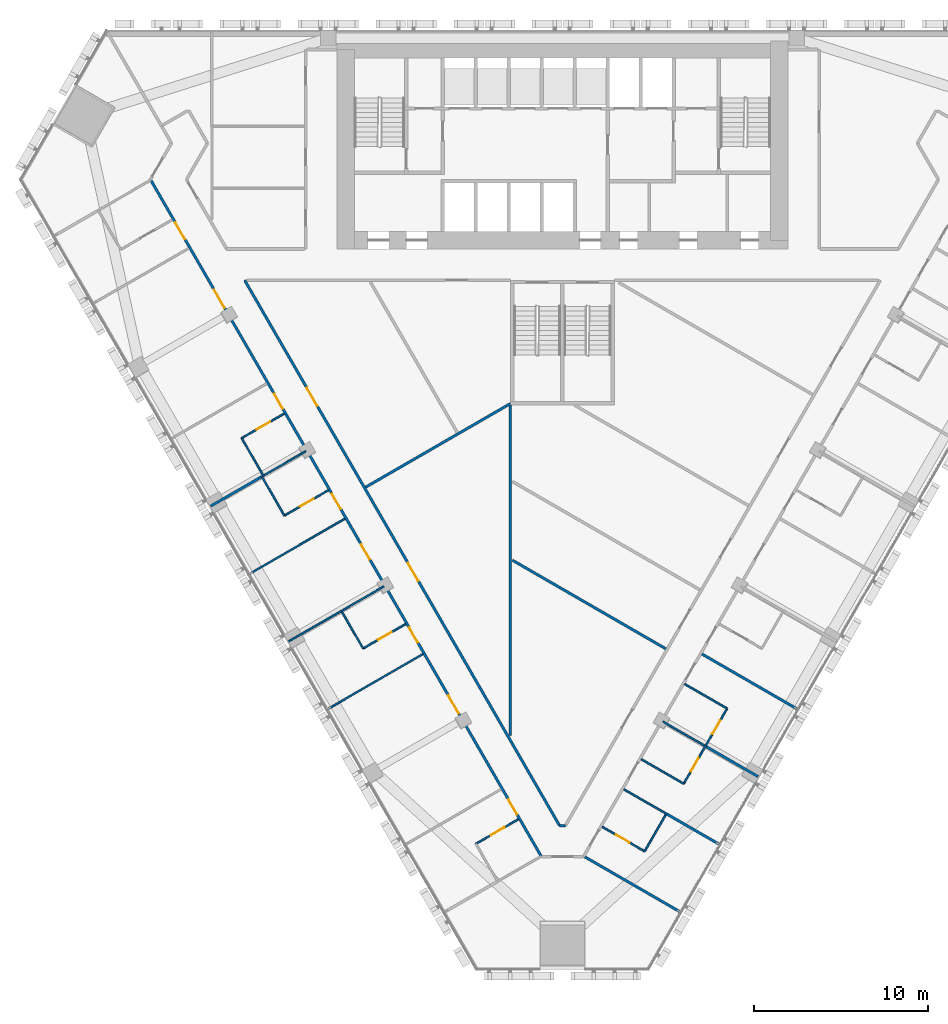
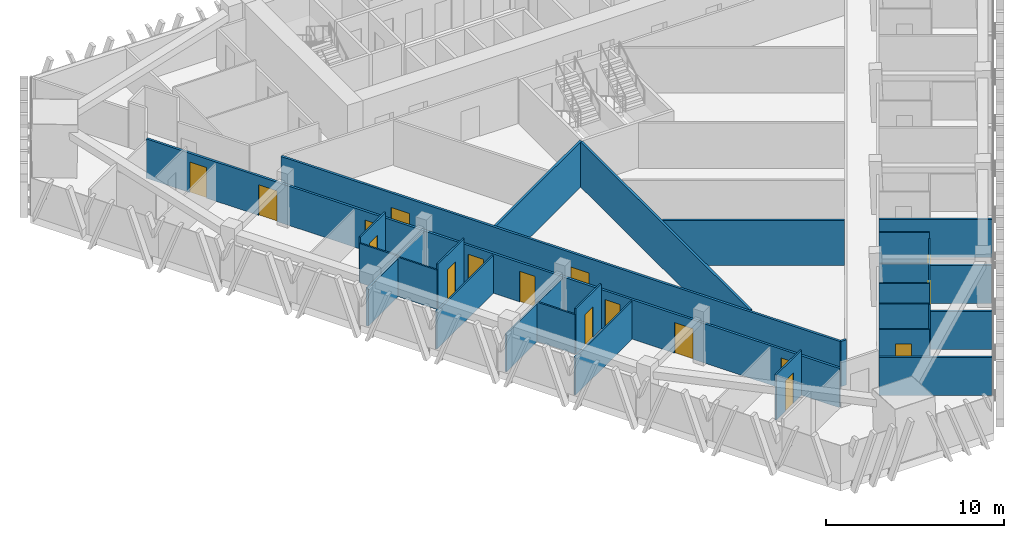
# One storey, part 10 of 17: 29 walls, 17 doors, 17 openings.
"""IFC4 building model written with IfcOpenShell, lengths in metres."""

from ifc_helpers import new_model, si_unit, direction, frame, frame_2d, origin, place, context, subcontext, project, spatial, rectangle, extrude, material, layer, layer_set, type_object, element, fill, save


model = new_model("IFC4")

# Units and contexts
model_context = context("Model", 3, precision=1e-05, world=origin(), true_north=direction((0.0, 1.0)))
body_context = subcontext(model_context, "Body", "Model", "MODEL_VIEW")
ifc_project = project(units=[si_unit("LENGTHUNIT", "METRE"), si_unit("AREAUNIT", "SQUARE_METRE"), si_unit("VOLUMEUNIT", "CUBIC_METRE"), si_unit("PLANEANGLEUNIT", "RADIAN"), si_unit("MASSUNIT", "GRAM", prefix="KILO")], contexts=[model_context])

# Site, building, storey
site_placement = place(None, origin())
site = spatial("IfcSite", under=ifc_project, at=site_placement, CompositionType="ELEMENT")
building_placement = place(site_placement, origin())
building = spatial("IfcBuilding", under=site, at=building_placement, Name="Altiplano Prism Tower", CompositionType="ELEMENT")
storey_placement = place(building_placement, frame((0.0, 0.0, 30.60009765625)))
storey = spatial("IfcBuildingStorey", under=building, at=storey_placement, Name="L06", CompositionType="ELEMENT", Elevation=30.60009765625)

# Wall
ifc_material_1 = material(Name="Plasterboard on steel stud", Category="steel")
ifc_layer_1 = layer(ifc_material_1, 0.10009765625)
ifc_layer_set_1 = layer_set([ifc_layer_1], Name="Plasterboard on steel stud")
wall_type_1 = type_object("IfcWallType", Name="Partition 100 unit", PredefinedType="PARTITIONING", material=ifc_layer_set_1)
wall_1_placement = place(storey_placement, frame((67.76123046875, 79.335693359375, 0.0), z_axis=(0.0, 0.0, 1.0), x_axis=(-0.500004234368, 0.866022959057, 0.0)))
element("IfcWall", 1, at=wall_1_placement, inside=storey, type_object=wall_type_1, Name="Partition P02 L06 038", PredefinedType="PARTITIONING", context=body_context, shape_type="SweptSolid", body=[
    extrude(rectangle(XDim=2.5, YDim=0.10009765625, at=frame_2d((1.25, 0.0))), origin(), (0.0, 0.0, 1.0), 2.699951171875),
])

# Wall, opening, door
wall_2_placement = place(storey_placement, frame((66.51123046875, 81.500732421875, 0.0), z_axis=(0.0, 0.0, 1.0), x_axis=(0.866011447264, 0.500024172624, 0.0)))
wall_2 = element("IfcWall", 2, at=wall_2_placement, inside=storey, type_object=wall_type_1, Name="Partition P02 L06 039", PredefinedType="PARTITIONING", context=body_context, shape_type="SweptSolid", body=[
    extrude(rectangle(XDim=2.824951171875, YDim=0.10009765625, at=frame_2d((1.41259765625, 0.0))), origin(), (0.0, 0.0, 1.0), 3.099853515625),
])
opening_1_placement = place(wall_2_placement, frame((1.0, 0.0, 0.0)))
opening_1 = element("IfcOpeningElement", 3, at=opening_1_placement, cuts=wall_2, Name="Opening D0189", PredefinedType="OPENING", context=body_context, shape_type="SweptSolid", body=[
    extrude(rectangle(XDim=0.89990234375, YDim=2.10009765625, at=frame_2d((0.449951171875, 1.050048828125))), frame((0.0, 0.060546875, 0.0), z_axis=(0.0, -1.0, 0.0), x_axis=(1.0, 0.0, 0.0)), (0.0, 0.0, 1.0), 0.12109375),
])
ifc_material_2 = material(Name="Timber", Category="wood")
door_type_1 = type_object("IfcDoorType", Name="Ensuite door 900 x 2100", OperationType="NOTDEFINED", PredefinedType="NOTDEFINED", material=ifc_material_2)
door_1_placement = place(opening_1_placement, origin())
door_1 = element("IfcDoor", 4, at=door_1_placement, inside=storey, type_object=door_type_1, Name="Door D0189", OperationType="SINGLE_SWING_LEFT", OverallHeight=2.10009765625, OverallWidth=0.89990234375, PredefinedType="NOTDEFINED", context=body_context, shape_type="SweptSolid", body=[
    extrude(rectangle(XDim=0.89990234375, YDim=2.10009765625, at=frame_2d((0.449951171875, 1.050048828125))), frame((0.0, 0.02490234375, 0.0), z_axis=(0.0, -1.0, 0.0), x_axis=(1.0, 0.0, 0.0)), (0.0, 0.0, 1.0), 0.050048828125),
])
fill(opening_1, door_1)

wall_3_placement = place(storey_placement, frame((71.507568359375, 78.49658203125, 0.0), z_axis=(0.0, 0.0, 1.0), x_axis=(-0.865989585315, -0.500062034277, 0.0)))
wall_3 = element("IfcWall", 5, at=wall_3_placement, inside=storey, type_object=wall_type_1, Name="Partition P02 L06 042", PredefinedType="PARTITIONING", context=body_context, shape_type="SweptSolid", body=[
    extrude(rectangle(XDim=2.925048828125, YDim=0.10009765625, at=frame_2d((1.46240234375, 0.0))), origin(), (0.0, 0.0, 1.0), 3.099853515625),
])
opening_2_placement = place(wall_3_placement, frame((0.97509765625, 0.0, 0.0)))
opening_2 = element("IfcOpeningElement", 6, at=opening_2_placement, cuts=wall_3, Name="Opening D0191", PredefinedType="OPENING", context=body_context, shape_type="SweptSolid", body=[
    extrude(rectangle(XDim=0.89990234375, YDim=2.10009765625, at=frame_2d((0.449951171875, 1.050048828125))), frame((0.0, 0.060546875, 0.0), z_axis=(0.0, -1.0, 0.0), x_axis=(1.0, 0.0, 0.0)), (0.0, 0.0, 1.0), 0.12109375),
])
door_2_placement = place(opening_2_placement, origin())
door_2 = element("IfcDoor", 7, at=door_2_placement, inside=storey, type_object=door_type_1, Name="Door D0191", OperationType="SINGLE_SWING_LEFT", OverallHeight=2.10009765625, OverallWidth=0.89990234375, PredefinedType="NOTDEFINED", context=body_context, shape_type="SweptSolid", body=[
    extrude(rectangle(XDim=0.89990234375, YDim=2.10009765625, at=frame_2d((0.449951171875, 1.050048828125))), frame((0.0, 0.02490234375, 0.0), z_axis=(0.0, -1.0, 0.0), x_axis=(1.0, 0.0, 0.0)), (0.0, 0.0, 1.0), 0.050048828125),
])
fill(opening_2, door_2)

# Wall
wall_4_placement = place(storey_placement, frame((68.974609375, 77.033935546875, 0.0), z_axis=(0.0, 0.0, 1.0), x_axis=(-0.500006934395, 0.866021400173, 0.0)))
element("IfcWall", 8, at=wall_4_placement, inside=storey, type_object=wall_type_1, Name="Partition P02 L06 043", PredefinedType="PARTITIONING", context=body_context, shape_type="SweptSolid", body=[
    extrude(rectangle(XDim=2.60009765625, YDim=0.10009765625, at=frame_2d((1.300048828125, 0.0))), origin(), (0.0, 0.0, 1.0), 2.699951171875),
])

# Wall, opening, door
wall_5_placement = place(storey_placement, frame((75.957763671875, 70.788818359375, 0.0), z_axis=(0.0, 0.0, 1.0), x_axis=(-0.866048868473, -0.499959355765, 0.0)))
wall_5 = element("IfcWall", 9, at=wall_5_placement, inside=storey, type_object=wall_type_1, Name="Partition P02 L06 046", PredefinedType="PARTITIONING", context=body_context, shape_type="SweptSolid", body=[
    extrude(rectangle(XDim=2.824951171875, YDim=0.10009765625, at=frame_2d((1.41259765625, 0.0))), origin(), (0.0, 0.0, 1.0), 3.099853515625),
])
opening_3_placement = place(wall_5_placement, frame((0.925048828125, 0.0, 0.0)))
opening_3 = element("IfcOpeningElement", 10, at=opening_3_placement, cuts=wall_5, Name="Opening D0194", PredefinedType="OPENING", context=body_context, shape_type="SweptSolid", body=[
    extrude(rectangle(XDim=0.89990234375, YDim=2.10009765625, at=frame_2d((0.449951171875, 1.050048828125))), frame((0.0, 0.060546875, 0.0), z_axis=(0.0, -1.0, 0.0), x_axis=(1.0, 0.0, 0.0)), (0.0, 0.0, 1.0), 0.12109375),
])
door_3_placement = place(opening_3_placement, origin())
door_3 = element("IfcDoor", 11, at=door_3_placement, inside=storey, type_object=door_type_1, Name="Door D0194", OperationType="SINGLE_SWING_LEFT", OverallHeight=2.10009765625, OverallWidth=0.89990234375, PredefinedType="NOTDEFINED", context=body_context, shape_type="SweptSolid", body=[
    extrude(rectangle(XDim=0.89990234375, YDim=2.10009765625, at=frame_2d((0.449951171875, 1.050048828125))), frame((0.0, 0.02490234375, 0.0), z_axis=(0.0, -1.0, 0.0), x_axis=(1.0, 0.0, 0.0)), (0.0, 0.0, 1.0), 0.050048828125),
])
fill(opening_3, door_3)

# Wall
wall_6_placement = place(storey_placement, frame((73.51123046875, 69.37646484375, 0.0), z_axis=(0.0, 0.0, 1.0), x_axis=(-0.500061746146, 0.865989751695, 0.0)))
element("IfcWall", 12, at=wall_6_placement, inside=storey, type_object=wall_type_1, Name="Partition P02 L06 047", PredefinedType="PARTITIONING", context=body_context, shape_type="SweptSolid", body=[
    extrude(rectangle(XDim=2.449951171875, YDim=0.10009765625, at=frame_2d((1.22509765625, 0.0))), origin(), (0.0, 0.0, 1.0), 2.699951171875),
])

# Wall, opening, door
wall_7_placement = place(storey_placement, frame((80.01123046875, 58.117919921875, 0.0), z_axis=(0.0, 0.0, 1.0), x_axis=(0.866011447264, 0.500024172624, 0.0)))
wall_7 = element("IfcWall", 13, at=wall_7_placement, inside=storey, type_object=wall_type_1, Name="Partition P02 L06 052", PredefinedType="PARTITIONING", context=body_context, shape_type="SweptSolid", body=[
    extrude(rectangle(XDim=2.824951171875, YDim=0.10009765625, at=frame_2d((1.41259765625, 0.0))), origin(), (0.0, 0.0, 1.0), 3.099853515625),
])
opening_4_placement = place(wall_7_placement, frame((1.0, 0.0, 0.0)))
opening_4 = element("IfcOpeningElement", 14, at=opening_4_placement, cuts=wall_7, Name="Opening D0197", PredefinedType="OPENING", context=body_context, shape_type="SweptSolid", body=[
    extrude(rectangle(XDim=0.89990234375, YDim=2.10009765625, at=frame_2d((0.449951171875, 1.050048828125))), frame((0.0, 0.060546875, 0.0), z_axis=(0.0, -1.0, 0.0), x_axis=(1.0, 0.0, 0.0)), (0.0, 0.0, 1.0), 0.12109375),
])
door_4_placement = place(opening_4_placement, origin())
door_4 = element("IfcDoor", 15, at=door_4_placement, inside=storey, type_object=door_type_1, Name="Door D0197", OperationType="SINGLE_SWING_RIGHT", OverallHeight=2.10009765625, OverallWidth=0.89990234375, PredefinedType="NOTDEFINED", context=body_context, shape_type="SweptSolid", body=[
    extrude(rectangle(XDim=0.89990234375, YDim=2.10009765625, at=frame_2d((0.449951171875, 1.050048828125))), frame((0.0, 0.02490234375, 0.0), z_axis=(0.0, -1.0, 0.0), x_axis=(1.0, 0.0, 0.0)), (0.0, 0.0, 1.0), 0.050048828125),
])
fill(opening_4, door_4)

# Wall
wall_8_placement = place(storey_placement, frame((90.951416015625, 59.78515625, 0.0), z_axis=(0.0, 0.0, 1.0), x_axis=(-0.500047793048, -0.865997808697, 0.0)))
element("IfcWall", 16, at=wall_8_placement, inside=storey, type_object=wall_type_1, Name="Partition P02 L06 057", PredefinedType="PARTITIONING", context=body_context, shape_type="SweptSolid", body=[
    extrude(rectangle(XDim=2.425048828125, YDim=0.10009765625, at=frame_2d((1.21240234375, 0.0))), origin(), (0.0, 0.0, 1.0), 3.099853515625),
])

# Wall, opening, door
wall_9_placement = place(storey_placement, frame((89.73876953125, 57.68505859375, 0.0), z_axis=(0.0, 0.0, 1.0), x_axis=(-0.866048868473, 0.499959355765, 0.0)))
wall_9 = element("IfcWall", 17, at=wall_9_placement, inside=storey, type_object=wall_type_1, Name="Partition P02 L06 058", PredefinedType="PARTITIONING", context=body_context, shape_type="SweptSolid", body=[
    extrude(rectangle(XDim=2.824951171875, YDim=0.10009765625, at=frame_2d((1.41259765625, 0.0))), origin(), (0.0, 0.0, 1.0), 3.099853515625),
])
opening_5_placement = place(wall_9_placement, frame((1.0, 0.0, 0.0)))
opening_5 = element("IfcOpeningElement", 18, at=opening_5_placement, cuts=wall_9, Name="Opening D0200", PredefinedType="OPENING", context=body_context, shape_type="SweptSolid", body=[
    extrude(rectangle(XDim=0.89990234375, YDim=2.10009765625, at=frame_2d((0.449951171875, 1.050048828125))), frame((0.0, 0.060546875, 0.0), z_axis=(0.0, -1.0, 0.0), x_axis=(1.0, 0.0, 0.0)), (0.0, 0.0, 1.0), 0.12109375),
])
door_5_placement = place(opening_5_placement, origin())
door_5 = element("IfcDoor", 19, at=door_5_placement, inside=storey, type_object=door_type_1, Name="Door D0200", OperationType="SINGLE_SWING_RIGHT", OverallHeight=2.10009765625, OverallWidth=0.89990234375, PredefinedType="NOTDEFINED", context=body_context, shape_type="SweptSolid", body=[
    extrude(rectangle(XDim=0.89990234375, YDim=2.10009765625, at=frame_2d((0.449951171875, 1.050048828125))), frame((0.0, 0.02490234375, 0.0), z_axis=(0.0, -1.0, 0.0), x_axis=(1.0, 0.0, 0.0)), (0.0, 0.0, 1.0), 0.050048828125),
])
fill(opening_5, door_5)

# Walls
for number, where, z_axis, x_axis, name in (
    (20, (91.98876953125, 61.58203125, 0.0), (0.0, 0.0, 1.0), (-0.866011447264, 0.500024172624, 0.0), "Partition P02 L06 061"),
    (21, (92.042236328125, 67.32470703125, 0.0), (0.0, 0.0, 1.0), (0.866048868473, -0.499959355765, 0.0), "Partition P02 L06 064"),
):
    element("IfcWall", number, at=place(storey_placement, frame(where, z_axis=z_axis, x_axis=x_axis)), inside=storey, type_object=wall_type_1, Name=name, PredefinedType="PARTITIONING", context=body_context, shape_type="SweptSolid", body=[
        extrude(rectangle(XDim=2.824951171875, YDim=0.10009765625, at=frame_2d((1.41259765625, 0.0))), origin(), (0.0, 0.0, 1.0), 3.099853515625),
    ])

# Wall, openings, doors
wall_10_placement = place(storey_placement, frame((94.48876953125, 65.912353515625, 0.0), z_axis=(0.0, 0.0, 1.0), x_axis=(-0.499983091616, -0.866035165624, 0.0)))
wall_10 = element("IfcWall", 22, at=wall_10_placement, inside=storey, type_object=wall_type_1, Name="Partition P02 L06 065", PredefinedType="PARTITIONING", context=body_context, shape_type="SweptSolid", body=[
    extrude(rectangle(XDim=5.000244140625, YDim=0.10009765625, at=frame_2d((2.5, 0.0))), origin(), (0.0, 0.0, 1.0), 2.699951171875),
])
opening_6_placement = place(wall_10_placement, frame((3.300048828125, 0.0, 0.0)))
opening_6 = element("IfcOpeningElement", 23, at=opening_6_placement, cuts=wall_10, Name="Opening D0202", PredefinedType="OPENING", context=body_context, shape_type="SweptSolid", body=[
    extrude(rectangle(XDim=0.89990234375, YDim=2.10009765625, at=frame_2d((0.449951171875, 1.050048828125))), frame((0.0, 0.060546875, 0.0), z_axis=(0.0, -1.0, 0.0), x_axis=(1.0, 0.0, 0.0)), (0.0, 0.0, 1.0), 0.12109375),
])
opening_7_placement = place(wall_10_placement, frame((0.800048828125, 0.0, 0.0)))
opening_7 = element("IfcOpeningElement", 24, at=opening_7_placement, cuts=wall_10, Name="Opening D0204", PredefinedType="OPENING", context=body_context, shape_type="SweptSolid", body=[
    extrude(rectangle(XDim=0.89990234375, YDim=2.10009765625, at=frame_2d((0.449951171875, 1.050048828125))), frame((0.0, 0.060546875, 0.0), z_axis=(0.0, -1.0, 0.0), x_axis=(1.0, 0.0, 0.0)), (0.0, 0.0, 1.0), 0.12109375),
])
door_6_placement = place(opening_6_placement, origin())
door_6 = element("IfcDoor", 25, at=door_6_placement, inside=storey, type_object=door_type_1, Name="Door D0202", OperationType="SINGLE_SWING_RIGHT", OverallHeight=2.10009765625, OverallWidth=0.89990234375, PredefinedType="NOTDEFINED", context=body_context, shape_type="SweptSolid", body=[
    extrude(rectangle(XDim=0.89990234375, YDim=2.10009765625, at=frame_2d((0.449951171875, 1.050048828125))), frame((0.0, 0.02490234375, 0.0), z_axis=(0.0, -1.0, 0.0), x_axis=(1.0, 0.0, 0.0)), (0.0, 0.0, 1.0), 0.050048828125),
])
fill(opening_6, door_6)
door_7_placement = place(opening_7_placement, origin())
door_7 = element("IfcDoor", 26, at=door_7_placement, inside=storey, type_object=door_type_1, Name="Door D0204", OperationType="SINGLE_SWING_RIGHT", OverallHeight=2.10009765625, OverallWidth=0.89990234375, PredefinedType="NOTDEFINED", context=body_context, shape_type="SweptSolid", body=[
    extrude(rectangle(XDim=0.89990234375, YDim=2.10009765625, at=frame_2d((0.449951171875, 1.050048828125))), frame((0.0, 0.02490234375, 0.0), z_axis=(0.0, -1.0, 0.0), x_axis=(1.0, 0.0, 0.0)), (0.0, 0.0, 1.0), 0.050048828125),
])
fill(opening_7, door_7)

# Walls
ifc_layer_2 = layer(ifc_material_1, 0.10009765625)
ifc_layer_set_2 = layer_set([ifc_layer_2], Name="Plasterboard on steel stud")
wall_type_2 = type_object("IfcWallType", Name="Partition 100 wet", PredefinedType="PARTITIONING", material=ifc_layer_set_2)
wall_11_placement = place(storey_placement, frame((67.743896484375, 79.32568359375, 0.0), z_axis=(0.0, 0.0, 1.0), x_axis=(0.866048401274, 0.499960165064, 0.0)))
element("IfcWall", 27, at=wall_11_placement, inside=storey, type_object=wall_type_2, Name="Partition P03 L06 041", PredefinedType="PARTITIONING", context=body_context, shape_type="SweptSolid", body=[
    extrude(rectangle(XDim=2.844970703125, YDim=0.10009765625, at=frame_2d((1.42236328125, 0.0))), origin(), (0.0, 0.0, 1.0), 2.699951171875),
])
wall_12_placement = place(storey_placement, frame((66.962646484375, 73.678466796875, 0.0), z_axis=(0.0, 0.0, 1.0), x_axis=(0.866025401434, 0.500000004071, 0.0)))
element("IfcWall", 28, at=wall_12_placement, inside=storey, type_object=wall_type_2, Name="Partition P03 L06 044", PredefinedType="PARTITIONING", context=body_context, shape_type="SweptSolid", body=[
    extrude(rectangle(XDim=6.34521484375, YDim=0.10009765625, at=frame_2d((3.172607421875, 0.0))), origin(), (0.0, 0.0, 1.0), 2.599853515625),
])
wall_13_placement = place(storey_placement, frame((69.22998046875, 69.79150390625, 0.0), z_axis=(0.0, 0.0, 1.0), x_axis=(0.866042250622, 0.499970819286, 0.0)))
element("IfcWall", 29, at=wall_13_placement, inside=storey, type_object=wall_type_2, Name="Partition P03 L06 045", PredefinedType="PARTITIONING", context=body_context, shape_type="SweptSolid", body=[
    extrude(rectangle(XDim=6.3251953125, YDim=0.10009765625, at=frame_2d((3.16259765625, 0.0))), origin(), (0.0, 0.0, 1.0), 2.599853515625),
])
wall_14_placement = place(storey_placement, frame((71.462646484375, 65.88427734375, 0.0), z_axis=(0.0, 0.0, 1.0), x_axis=(0.866025401434, 0.500000004071, 0.0)))
element("IfcWall", 30, at=wall_14_placement, inside=storey, type_object=wall_type_2, Name="Partition P03 L06 048", PredefinedType="PARTITIONING", context=body_context, shape_type="SweptSolid", body=[
    extrude(rectangle(XDim=6.34521484375, YDim=0.10009765625, at=frame_2d((3.172607421875, 0.0))), origin(), (0.0, 0.0, 1.0), 2.599853515625),
])
wall_15_placement = place(storey_placement, frame((91.006103515625, 59.840087890625, 0.0), z_axis=(0.0, 0.0, 1.0), x_axis=(-0.866011243319, 0.500024525844, 0.0)))
element("IfcWall", 31, at=wall_15_placement, inside=storey, type_object=wall_type_2, Name="Partition P03 L06 060", PredefinedType="PARTITIONING", context=body_context, shape_type="SweptSolid", body=[
    extrude(rectangle(XDim=2.844970703125, YDim=0.10009765625, at=frame_2d((1.42236328125, 0.0))), origin(), (0.0, 0.0, 1.0), 3.099853515625),
])
wall_16_placement = place(storey_placement, frame((93.195556640625, 63.772216796875, 0.0), z_axis=(0.0, 0.0, 1.0), x_axis=(-0.866042014628, 0.499971228071, 0.0)))
element("IfcWall", 32, at=wall_16_placement, inside=storey, type_object=wall_type_2, Name="Partition P03 L06 063", PredefinedType="PARTITIONING", context=body_context, shape_type="SweptSolid", body=[
    extrude(rectangle(XDim=2.775146484375, YDim=0.10009765625, at=frame_2d((1.3876953125, 0.0))), origin(), (0.0, 0.0, 1.0), 2.699951171875),
])

# Wall, openings, doors
ifc_layer_3 = layer(ifc_material_1, 0.14990234375)
ifc_layer_set_3 = layer_set([ifc_layer_3], Name="Plasterboard on steel stud")
wall_type_3 = type_object("IfcWallType", Name="Partition 150 corridor", PredefinedType="PARTITIONING", material=ifc_layer_set_3)
wall_17_placement = place(storey_placement, frame((61.272705078125, 96.3740234375, 0.0), z_axis=(0.0, 0.0, 1.0), x_axis=(0.5000018851, -0.866024315419, 0.0)))
wall_17 = element("IfcWall", 33, at=wall_17_placement, inside=storey, type_object=wall_type_3, Name="Partition P06 L06 010", PredefinedType="PARTITIONING", context=body_context, shape_type="SweptSolid", body=[
    extrude(rectangle(XDim=44.999755859375, YDim=0.14990234375, at=frame_2d((22.5, 0.0))), origin(), (0.0, 0.0, 1.0), 2.699951171875),
])
opening_8_placement = place(wall_17_placement, frame((2.8291015625, 0.0, 0.0)))
opening_8 = element("IfcOpeningElement", 34, at=opening_8_placement, cuts=wall_17, Name="Opening D0185", PredefinedType="OPENING", context=body_context, shape_type="SweptSolid", body=[
    extrude(rectangle(XDim=1.10009765625, YDim=2.10009765625, at=frame_2d((0.550048828125, 1.050048828125))), frame((0.0, 0.08544921875, 0.0), z_axis=(0.0, -1.0, 0.0), x_axis=(1.0, 0.0, 0.0)), (0.0, 0.0, 1.0), 0.1708984375),
])
opening_9_placement = place(wall_17_placement, frame((7.300048828125, 0.0, 0.0)))
opening_9 = element("IfcOpeningElement", 35, at=opening_9_placement, cuts=wall_17, Name="Opening D0187", PredefinedType="OPENING", context=body_context, shape_type="SweptSolid", body=[
    extrude(rectangle(XDim=1.199951171875, YDim=2.10009765625, at=frame_2d((0.60009765625, 1.050048828125))), frame((0.0, 0.08544921875, 0.0), z_axis=(0.0, -1.0, 0.0), x_axis=(1.0, 0.0, 0.0)), (0.0, 0.0, 1.0), 0.1708984375),
])
opening_10_placement = place(wall_17_placement, frame((14.219970703125, 0.0, 0.0)))
opening_10 = element("IfcOpeningElement", 36, at=opening_10_placement, cuts=wall_17, Name="Opening D0188", PredefinedType="OPENING", context=body_context, shape_type="SweptSolid", body=[
    extrude(rectangle(XDim=1.0, YDim=2.10009765625, at=frame_2d((0.5, 1.050048828125))), frame((0.0, 0.08544921875, 0.0), z_axis=(0.0, -1.0, 0.0), x_axis=(1.0, 0.0, 0.0)), (0.0, 0.0, 1.0), 0.1708984375),
])
opening_11_placement = place(wall_17_placement, frame((20.89501953125, 0.0, 0.0)))
opening_11 = element("IfcOpeningElement", 37, at=opening_11_placement, cuts=wall_17, Name="Opening D0190", PredefinedType="OPENING", context=body_context, shape_type="SweptSolid", body=[
    extrude(rectangle(XDim=1.0, YDim=2.10009765625, at=frame_2d((0.5, 1.050048828125))), frame((0.0, 0.08544921875, 0.0), z_axis=(0.0, -1.0, 0.0), x_axis=(1.0, 0.0, 0.0)), (0.0, 0.0, 1.0), 0.1708984375),
])
opening_12_placement = place(wall_17_placement, frame((24.25, 0.0, 0.0)))
opening_12 = element("IfcOpeningElement", 38, at=opening_12_placement, cuts=wall_17, Name="Opening D0192", PredefinedType="OPENING", context=body_context, shape_type="SweptSolid", body=[
    extrude(rectangle(XDim=1.0, YDim=2.10009765625, at=frame_2d((0.5, 1.050048828125))), frame((0.0, 0.08544921875, 0.0), z_axis=(0.0, -1.0, 0.0), x_axis=(1.0, 0.0, 0.0)), (0.0, 0.0, 1.0), 0.1708984375),
])
opening_13_placement = place(wall_17_placement, frame((29.780029296875, 0.0, 0.0)))
opening_13 = element("IfcOpeningElement", 39, at=opening_13_placement, cuts=wall_17, Name="Opening D0193", PredefinedType="OPENING", context=body_context, shape_type="SweptSolid", body=[
    extrude(rectangle(XDim=1.0, YDim=2.10009765625, at=frame_2d((0.5, 1.050048828125))), frame((0.0, 0.08544921875, 0.0), z_axis=(0.0, -1.0, 0.0), x_axis=(1.0, 0.0, 0.0)), (0.0, 0.0, 1.0), 0.1708984375),
])
opening_14_placement = place(wall_17_placement, frame((34.300048828125, 0.0, 0.0)))
opening_14 = element("IfcOpeningElement", 40, at=opening_14_placement, cuts=wall_17, Name="Opening D0195", PredefinedType="OPENING", context=body_context, shape_type="SweptSolid", body=[
    extrude(rectangle(XDim=1.199951171875, YDim=2.10009765625, at=frame_2d((0.60009765625, 1.050048828125))), frame((0.0, 0.08544921875, 0.0), z_axis=(0.0, -1.0, 0.0), x_axis=(1.0, 0.0, 0.0)), (0.0, 0.0, 1.0), 0.1708984375),
])
opening_15_placement = place(wall_17_placement, frame((41.219970703125, 0.0, 0.0)))
opening_15 = element("IfcOpeningElement", 41, at=opening_15_placement, cuts=wall_17, Name="Opening D0196", PredefinedType="OPENING", context=body_context, shape_type="SweptSolid", body=[
    extrude(rectangle(XDim=1.0, YDim=2.10009765625, at=frame_2d((0.5, 1.050048828125))), frame((0.0, 0.08544921875, 0.0), z_axis=(0.0, -1.0, 0.0), x_axis=(1.0, 0.0, 0.0)), (0.0, 0.0, 1.0), 0.1708984375),
])
door_type_2 = type_object("IfcDoorType", Name="Accessible bedroom door 1100 x 2100", OperationType="NOTDEFINED", PredefinedType="NOTDEFINED", material=ifc_material_2)
door_8_placement = place(opening_8_placement, origin())
door_8 = element("IfcDoor", 42, at=door_8_placement, inside=storey, type_object=door_type_2, Name="Door D0185", OperationType="SINGLE_SWING_RIGHT", OverallHeight=2.10009765625, OverallWidth=1.10009765625, PredefinedType="NOTDEFINED", context=body_context, shape_type="SweptSolid", body=[
    extrude(rectangle(XDim=1.10009765625, YDim=2.10009765625, at=frame_2d((0.550048828125, 1.050048828125))), frame((0.0, 0.02490234375, 0.0), z_axis=(0.0, -1.0, 0.0), x_axis=(1.0, 0.0, 0.0)), (0.0, 0.0, 1.0), 0.050048828125),
])
fill(opening_8, door_8)
door_type_3 = type_object("IfcDoorType", Name="Bedroom entrance door 1000 x 2100", OperationType="NOTDEFINED", PredefinedType="NOTDEFINED", material=ifc_material_2)
door_9_placement = place(opening_10_placement, origin())
door_9 = element("IfcDoor", 43, at=door_9_placement, inside=storey, type_object=door_type_3, Name="Door D0188", OperationType="SINGLE_SWING_LEFT", OverallHeight=2.10009765625, OverallWidth=1.0, PredefinedType="NOTDEFINED", context=body_context, shape_type="SweptSolid", body=[
    extrude(rectangle(XDim=1.0, YDim=2.10009765625, at=frame_2d((0.5, 1.050048828125))), frame((0.0, 0.02490234375, 0.0), z_axis=(0.0, -1.0, 0.0), x_axis=(1.0, 0.0, 0.0)), (0.0, 0.0, 1.0), 0.050048828125),
])
fill(opening_10, door_9)
door_10_placement = place(opening_11_placement, origin())
door_10 = element("IfcDoor", 44, at=door_10_placement, inside=storey, type_object=door_type_3, Name="Door D0190", OperationType="SINGLE_SWING_LEFT", OverallHeight=2.10009765625, OverallWidth=1.0, PredefinedType="NOTDEFINED", context=body_context, shape_type="SweptSolid", body=[
    extrude(rectangle(XDim=1.0, YDim=2.10009765625, at=frame_2d((0.5, 1.050048828125))), frame((0.0, 0.02490234375, 0.0), z_axis=(0.0, -1.0, 0.0), x_axis=(1.0, 0.0, 0.0)), (0.0, 0.0, 1.0), 0.050048828125),
])
fill(opening_11, door_10)
door_11_placement = place(opening_13_placement, origin())
door_11 = element("IfcDoor", 45, at=door_11_placement, inside=storey, type_object=door_type_3, Name="Door D0193", OperationType="SINGLE_SWING_RIGHT", OverallHeight=2.10009765625, OverallWidth=1.0, PredefinedType="NOTDEFINED", context=body_context, shape_type="SweptSolid", body=[
    extrude(rectangle(XDim=1.0, YDim=2.10009765625, at=frame_2d((0.5, 1.050048828125))), frame((0.0, 0.02490234375, 0.0), z_axis=(0.0, -1.0, 0.0), x_axis=(1.0, 0.0, 0.0)), (0.0, 0.0, 1.0), 0.050048828125),
])
fill(opening_13, door_11)
door_12_placement = place(opening_15_placement, origin())
door_12 = element("IfcDoor", 46, at=door_12_placement, inside=storey, type_object=door_type_3, Name="Door D0196", OperationType="SINGLE_SWING_RIGHT", OverallHeight=2.10009765625, OverallWidth=1.0, PredefinedType="NOTDEFINED", context=body_context, shape_type="SweptSolid", body=[
    extrude(rectangle(XDim=1.0, YDim=2.10009765625, at=frame_2d((0.5, 1.050048828125))), frame((0.0, 0.02490234375, 0.0), z_axis=(0.0, -1.0, 0.0), x_axis=(1.0, 0.0, 0.0)), (0.0, 0.0, 1.0), 0.050048828125),
])
fill(opening_15, door_12)
door_type_4 = type_object("IfcDoorType", Name="Room door 1000 x 2100", OperationType="NOTDEFINED", PredefinedType="NOTDEFINED", material=ifc_material_2)
door_13_placement = place(opening_12_placement, origin())
door_13 = element("IfcDoor", 47, at=door_13_placement, inside=storey, type_object=door_type_4, Name="Door D0192", OperationType="SINGLE_SWING_LEFT", OverallHeight=2.10009765625, OverallWidth=1.0, PredefinedType="NOTDEFINED", context=body_context, shape_type="SweptSolid", body=[
    extrude(rectangle(XDim=1.0, YDim=2.10009765625, at=frame_2d((0.5, 1.050048828125))), frame((0.0, 0.02490234375, 0.0), z_axis=(0.0, -1.0, 0.0), x_axis=(1.0, 0.0, 0.0)), (0.0, 0.0, 1.0), 0.050048828125),
])
fill(opening_12, door_13)
door_type_5 = type_object("IfcDoorType", Name="Shared room door 1200 x 2100", OperationType="NOTDEFINED", PredefinedType="NOTDEFINED", material=ifc_material_2)
door_14_placement = place(opening_9_placement, origin())
door_14 = element("IfcDoor", 48, at=door_14_placement, inside=storey, type_object=door_type_5, Name="Door D0187", OperationType="SINGLE_SWING_LEFT", OverallHeight=2.10009765625, OverallWidth=1.199951171875, PredefinedType="NOTDEFINED", context=body_context, shape_type="SweptSolid", body=[
    extrude(rectangle(XDim=1.199951171875, YDim=2.10009765625, at=frame_2d((0.60009765625, 1.050048828125))), frame((0.0, 0.02490234375, 0.0), z_axis=(0.0, -1.0, 0.0), x_axis=(1.0, 0.0, 0.0)), (0.0, 0.0, 1.0), 0.050048828125),
])
fill(opening_9, door_14)
door_15_placement = place(opening_14_placement, origin())
door_15 = element("IfcDoor", 49, at=door_15_placement, inside=storey, type_object=door_type_5, Name="Door D0195", OperationType="SINGLE_SWING_LEFT", OverallHeight=2.10009765625, OverallWidth=1.199951171875, PredefinedType="NOTDEFINED", context=body_context, shape_type="SweptSolid", body=[
    extrude(rectangle(XDim=1.199951171875, YDim=2.10009765625, at=frame_2d((0.60009765625, 1.050048828125))), frame((0.0, 0.02490234375, 0.0), z_axis=(0.0, -1.0, 0.0), x_axis=(1.0, 0.0, 0.0)), (0.0, 0.0, 1.0), 0.050048828125),
])
fill(opening_14, door_15)

wall_18_placement = place(storey_placement, frame((84.83056640625, 59.170654296875, 0.0), z_axis=(0.0, 0.0, 1.0), x_axis=(-0.499999056994, 0.866025948229, 0.0)))
wall_18 = element("IfcWall", 50, at=wall_18_placement, inside=storey, type_object=wall_type_3, Name="Partition P06 L06 023", PredefinedType="PARTITIONING", context=body_context, shape_type="SweptSolid", body=[
    extrude(rectangle(XDim=36.29150390625, YDim=0.14990234375, at=frame_2d((18.145751953125, 0.0))), origin(), (0.0, 0.0, 1.0), 3.099853515625),
])
opening_16_placement = place(wall_18_placement, frame((16.27587890625, 0.0, 0.0)))
opening_16 = element("IfcOpeningElement", 51, at=opening_16_placement, cuts=wall_18, Name="Opening D0220", PredefinedType="OPENING", context=body_context, shape_type="SweptSolid", body=[
    extrude(rectangle(XDim=1.199951171875, YDim=2.10009765625, at=frame_2d((0.60009765625, 1.050048828125))), frame((0.0, 0.08544921875, 0.0), z_axis=(0.0, -1.0, 0.0), x_axis=(1.0, 0.0, 0.0)), (0.0, 0.0, 1.0), 0.1708984375),
])
opening_17_placement = place(wall_18_placement, frame((27.930908203125, 0.0, 0.0)))
opening_17 = element("IfcOpeningElement", 52, at=opening_17_placement, cuts=wall_18, Name="Opening D0223", PredefinedType="OPENING", context=body_context, shape_type="SweptSolid", body=[
    extrude(rectangle(XDim=1.199951171875, YDim=2.10009765625, at=frame_2d((0.60009765625, 1.050048828125))), frame((0.0, 0.08544921875, 0.0), z_axis=(0.0, -1.0, 0.0), x_axis=(1.0, 0.0, 0.0)), (0.0, 0.0, 1.0), 0.1708984375),
])
door_16_placement = place(opening_16_placement, origin())
door_16 = element("IfcDoor", 53, at=door_16_placement, inside=storey, type_object=door_type_5, Name="Door D0220", OperationType="SINGLE_SWING_RIGHT", OverallHeight=2.10009765625, OverallWidth=1.199951171875, PredefinedType="NOTDEFINED", context=body_context, shape_type="SweptSolid", body=[
    extrude(rectangle(XDim=1.199951171875, YDim=2.10009765625, at=frame_2d((0.60009765625, 1.050048828125))), frame((0.0, 0.02490234375, 0.0), z_axis=(0.0, -1.0, 0.0), x_axis=(1.0, 0.0, 0.0)), (0.0, 0.0, 1.0), 0.050048828125),
])
fill(opening_16, door_16)
door_17_placement = place(opening_17_placement, origin())
door_17 = element("IfcDoor", 54, at=door_17_placement, inside=storey, type_object=door_type_5, Name="Door D0223", OperationType="SINGLE_SWING_LEFT", OverallHeight=2.10009765625, OverallWidth=1.199951171875, PredefinedType="NOTDEFINED", context=body_context, shape_type="SweptSolid", body=[
    extrude(rectangle(XDim=1.199951171875, YDim=2.10009765625, at=frame_2d((0.60009765625, 1.050048828125))), frame((0.0, 0.02490234375, 0.0), z_axis=(0.0, -1.0, 0.0), x_axis=(1.0, 0.0, 0.0)), (0.0, 0.0, 1.0), 0.050048828125),
])
fill(opening_17, door_17)

# Walls
wall_19_placement = place(storey_placement, frame((85.16943359375, 59.170654296875, 0.0), z_axis=(0.0, 0.0, 1.0), x_axis=(-1.0, 0.0, 0.0)))
element("IfcWall", 55, at=wall_19_placement, inside=storey, type_object=wall_type_3, Name="Partition P06 L06 024", PredefinedType="PARTITIONING", context=body_context, shape_type="SweptSolid", body=[
    extrude(rectangle(XDim=0.3388671875, YDim=0.14990234375, at=frame_2d((0.16943359375, 0.0))), origin(), (0.0, 0.0, 1.0), 3.099853515625),
])
ifc_layer_4 = layer(ifc_material_1, 0.14990234375)
ifc_layer_set_4 = layer_set([ifc_layer_4], Name="Plasterboard on steel stud")
wall_type_4 = type_object("IfcWallType", Name="Partition 150 party", PredefinedType="PARTITIONING", material=ifc_layer_set_4)
wall_20_placement = place(storey_placement, frame((64.72998046875, 77.585693359375, 0.0), z_axis=(0.0, 0.0, 1.0), x_axis=(0.866038511948, 0.499977295307, 0.0)))
element("IfcWall", 56, at=wall_20_placement, inside=storey, type_object=wall_type_4, Name="Partition P01 L06 040", PredefinedType="PARTITIONING", context=body_context, shape_type="SweptSolid", body=[
    extrude(rectangle(XDim=3.400146484375, YDim=0.14990234375, at=frame_2d((1.7001953125, 0.0))), origin(), (0.0, 0.0, 1.0), 2.599853515625),
])
wall_21_placement = place(storey_placement, frame((91.787353515625, 54.19287109375, 0.0), z_axis=(0.0, 0.0, 1.0), x_axis=(-0.866025401434, 0.500000004071, 0.0)))
element("IfcWall", 57, at=wall_21_placement, inside=storey, type_object=wall_type_4, Name="Partition P01 L06 056", PredefinedType="PARTITIONING", context=body_context, shape_type="SweptSolid", body=[
    extrude(rectangle(XDim=6.34521484375, YDim=0.14990234375, at=frame_2d((3.172607421875, 0.0))), origin(), (0.0, 0.0, 1.0), 2.599853515625),
])
wall_22_placement = place(storey_placement, frame((94.037353515625, 58.090087890625, 0.0), z_axis=(0.0, 0.0, 1.0), x_axis=(-0.866036293601, 0.499981137809, 0.0)))
element("IfcWall", 58, at=wall_22_placement, inside=storey, type_object=wall_type_4, Name="Partition P01 L06 059", PredefinedType="PARTITIONING", context=body_context, shape_type="SweptSolid", body=[
    extrude(rectangle(XDim=3.540283203125, YDim=0.14990234375, at=frame_2d((1.77001953125, 0.0))), origin(), (0.0, 0.0, 1.0), 2.599853515625),
])
wall_23_placement = place(storey_placement, frame((96.27001953125, 61.997314453125, 0.0), z_axis=(0.0, 0.0, 1.0), x_axis=(-0.866044174857, 0.499967486139, 0.0)))
element("IfcWall", 59, at=wall_23_placement, inside=storey, type_object=wall_type_4, Name="Partition P01 L06 062", PredefinedType="PARTITIONING", context=body_context, shape_type="SweptSolid", body=[
    extrude(rectangle(XDim=3.449951171875, YDim=0.14990234375, at=frame_2d((1.72509765625, 0.0))), origin(), (0.0, 0.0, 1.0), 2.599853515625),
])
wall_24_placement = place(storey_placement, frame((98.537353515625, 65.88427734375, 0.0), z_axis=(0.0, 0.0, 1.0), x_axis=(-0.866025401434, 0.500000004071, 0.0)))
element("IfcWall", 60, at=wall_24_placement, inside=storey, type_object=wall_type_4, Name="Partition P01 L06 066", PredefinedType="PARTITIONING", context=body_context, shape_type="SweptSolid", body=[
    extrude(rectangle(XDim=6.34521484375, YDim=0.14990234375, at=frame_2d((3.172607421875, 0.0))), origin(), (0.0, 0.0, 1.0), 2.599853515625),
])
wall_25_placement = place(storey_placement, frame((82.00048828125, 64.352294921875, 0.0), z_axis=(0.0, 0.0, 1.0), x_axis=(0.0, 1.0, 0.0)))
element("IfcWall", 61, at=wall_25_placement, inside=storey, type_object=wall_type_4, Name="Partition P01 L06 089", PredefinedType="PARTITIONING", context=body_context, shape_type="SweptSolid", body=[
    extrude(rectangle(XDim=19.047607421875, YDim=0.14990234375, at=frame_2d((9.52392578125, 0.0))), origin(), (0.0, 0.0, 1.0), 3.099853515625),
])
wall_26_placement = place(storey_placement, frame((82.0, 83.491455078125, 0.0), z_axis=(0.0, 0.0, 1.0), x_axis=(-0.866018469749, -0.500012009909, 0.0)))
element("IfcWall", 62, at=wall_26_placement, inside=storey, type_object=wall_type_4, Name="Partition P01 L06 090", PredefinedType="PARTITIONING", context=body_context, shape_type="SweptSolid", body=[
    extrude(rectangle(XDim=9.634033203125, YDim=0.14990234375, at=frame_2d((4.81689453125, 0.0))), origin(), (0.0, 0.0, 1.0), 3.099853515625),
])
wall_27_placement = place(storey_placement, frame((90.963134765625, 69.355712890625, 0.0), z_axis=(0.0, 0.0, 1.0), x_axis=(-0.866024858179, 0.500000945016, 0.0)))
element("IfcWall", 63, at=wall_27_placement, inside=storey, type_object=wall_type_4, Name="Partition P01 L06 091", PredefinedType="PARTITIONING", context=body_context, shape_type="SweptSolid", body=[
    extrude(rectangle(XDim=10.21923828125, YDim=0.14990234375, at=frame_2d((5.109619140625, 0.0))), origin(), (0.0, 0.0, 1.0), 3.099853515625),
])

save(model, "model.ifc")
